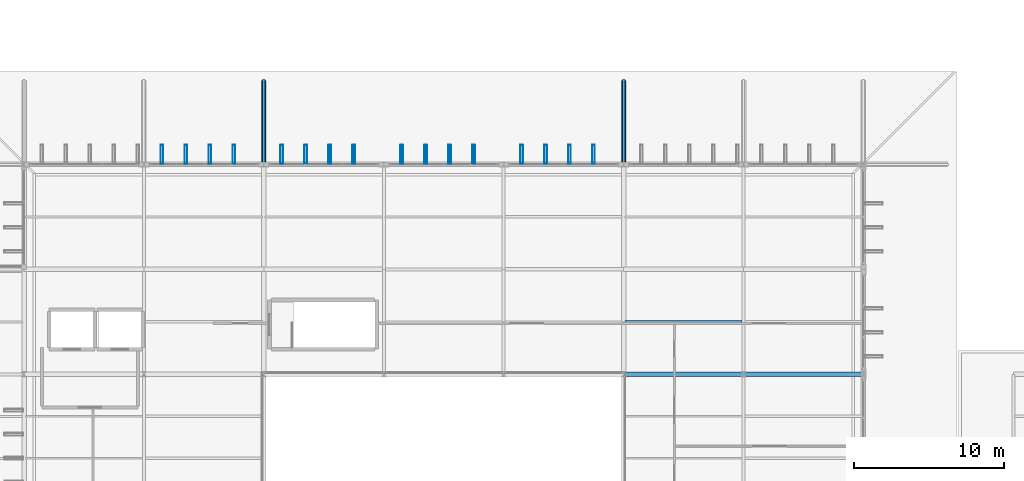
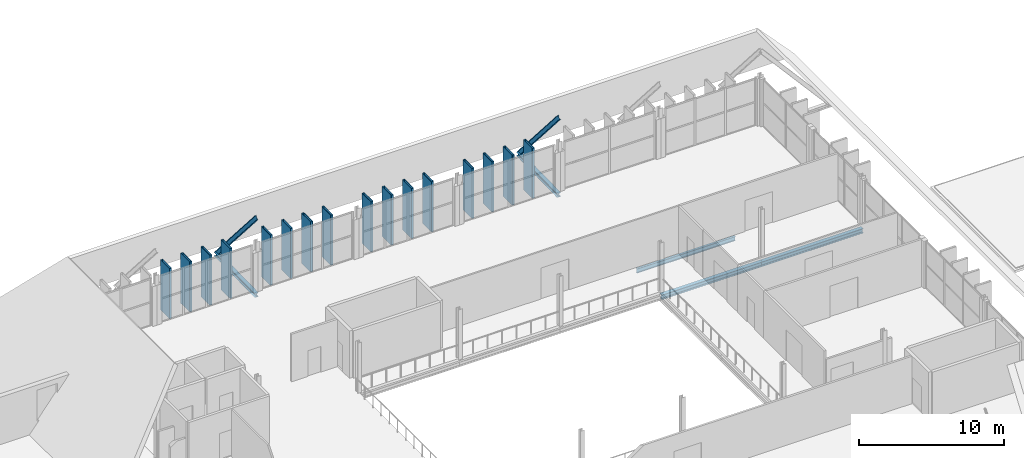
# One storey, part 52 of 93: 18 members, 5 beams.
"""IFC4 building model written with IfcOpenShell, lengths in metres."""

import ifcopenshell
import ifcopenshell.guid

model = None  # the IFC model being written
_history = None  # IfcOwnerHistory: only IFC2X3 demands one
_inside = {}  # id of a spatial element -> (the spatial element, [elements in it])
_under = {}  # id of a project, library or spatial element -> (it, [spatial elements below it])
_declared = {}  # id of a project -> (the project, [libraries it declares])
_typed = {}  # id of a type object -> (the type object, [elements of that type])
_made_of = {}  # id of a material, layer set ... -> (it, [elements and type objects made of it])


def new_model(schema):
    """Start an empty IFC model of exactly this schema.

    Asked for "IFC4X3", IfcOpenShell would pick the latest addendum, in which some entities
    have other attributes; the version numbers below select the first issue.
    IFC2X3 requires an IfcOwnerHistory on every rooted entity: one is made here for all.
    """
    global model, _history
    if schema == "IFC4X3":
        model = ifcopenshell.file(schema_version=(4, 3, 0, 0))
    else:
        model = ifcopenshell.file(schema=schema)
    _inside.clear()
    _under.clear()
    _declared.clear()
    _typed.clear()
    _made_of.clear()
    _history = None
    if model.schema == "IFC2X3":
        org = make("IfcOrganization", Name="unknown")
        user = make(
            "IfcPersonAndOrganization",
            ThePerson=make("IfcPerson", FamilyName="unknown"),
            TheOrganization=org,
        )
        app = make(
            "IfcApplication",
            ApplicationDeveloper=org,
            Version="unknown",
            ApplicationFullName="unknown",
            ApplicationIdentifier="unknown",
        )
        _history = make(
            "IfcOwnerHistory",
            OwningUser=user,
            OwningApplication=app,
            ChangeAction="ADDED",
            CreationDate=0,
        )
    return model


def make(cls, **values):
    """One entity of the class cls with the attributes given. An attribute that is None is left unset."""
    return model.create_entity(
        cls, **{name: value for name, value in values.items() if value is not None}
    )


def rooted(cls, **values):
    """An entity with a GlobalId (a new one), such as an element, a storey or a relation."""
    return make(cls, GlobalId=ifcopenshell.guid.new(), OwnerHistory=_history, **values)


def si_unit(unit_type, name, prefix=None):
    """IfcSIUnit, for example si_unit("LENGTHUNIT", "METRE", prefix="MILLI")."""
    return make("IfcSIUnit", UnitType=unit_type, Prefix=prefix, Name=name)


def assignment(units):
    """IfcUnitAssignment: the units of a project."""
    return None if units is None else make("IfcUnitAssignment", Units=units)


def point(xyz):
    """IfcCartesianPoint."""
    return None if xyz is None else make("IfcCartesianPoint", Coordinates=xyz)


def direction(xyz):
    """IfcDirection."""
    return None if xyz is None else make("IfcDirection", DirectionRatios=xyz)


def frame(location, z_axis=None, x_axis=None):
    """IfcAxis2Placement3D, a coordinate frame: its origin and axes. An axis left out is left unset."""
    return make(
        "IfcAxis2Placement3D",
        Location=point(location),
        Axis=direction(z_axis),
        RefDirection=direction(x_axis),
    )


def frame_2d(location, x_axis=None):
    """IfcAxis2Placement2D, a coordinate frame in the plane: its origin and x axis."""
    return make(
        "IfcAxis2Placement2D", Location=point(location), RefDirection=direction(x_axis)
    )


def origin():
    """The frame at (0, 0, 0) with its axes left unset."""
    return frame((0.0, 0.0, 0.0))


def origin_2d():
    """The frame at (0, 0) in the plane with its x axis left unset."""
    return frame_2d((0.0, 0.0))


def place(relative_to, where):
    """IfcLocalPlacement: puts the frame where relative to a parent placement (None: the world)."""
    return make(
        "IfcLocalPlacement", PlacementRelTo=relative_to, RelativePlacement=where
    )


def context(
    kind, dimensions, precision=None, world=None, true_north=None, identifier=None
):
    """IfcGeometricRepresentationContext, for example the 3D "Model" context."""
    return make(
        "IfcGeometricRepresentationContext",
        ContextIdentifier=identifier,
        ContextType=kind,
        CoordinateSpaceDimension=dimensions,
        Precision=precision,
        WorldCoordinateSystem=world,
        TrueNorth=true_north,
    )


def subcontext(parent, identifier, kind, view, scale=None):
    """IfcGeometricRepresentationSubContext, for example "Body" below "Model"."""
    return make(
        "IfcGeometricRepresentationSubContext",
        ContextIdentifier=identifier,
        ContextType=kind,
        ParentContext=parent,
        TargetScale=scale,
        TargetView=view,
    )


def project(units=None, contexts=None):
    """IfcProject with its units and contexts."""
    return rooted(
        "IfcProject",
        Name="project",
        RepresentationContexts=contexts,
        UnitsInContext=assignment(units),
    )


def spatial(cls, under=None, at=None, **own):
    """A site, building, storey or space (cls), placed at a placement, below another one or the project."""
    s = rooted(cls, ObjectPlacement=at, **own)
    if under is not None:
        _under.setdefault(under.id(), (under, []))[1].append(s)
    return s


def profile(cls, at=None, kind="AREA", **sizes):
    """A parametric profile (cls). Its sizes go by their IFC names, for example OverallWidth=200.0."""
    return make(cls, ProfileType=kind, Position=at, **sizes)


def hollow_rectangle(**sizes):
    """IfcRectangleHollowProfileDef."""
    return profile("IfcRectangleHollowProfileDef", **sizes)


def i_section(**sizes):
    """IfcIShapeProfileDef."""
    return profile("IfcIShapeProfileDef", **sizes)


def extrude(swept, where, along, depth):
    """IfcExtrudedAreaSolid: the profile swept, set in the frame where, extruded along a direction by depth."""
    return make(
        "IfcExtrudedAreaSolid",
        SweptArea=swept,
        Position=where,
        ExtrudedDirection=direction(along),
        Depth=depth,
    )


def shape(context_of_items, identifier, shape_type, items):
    """IfcShapeRepresentation: the items that make up one representation, for example the "Body"."""
    return make(
        "IfcShapeRepresentation",
        ContextOfItems=context_of_items,
        RepresentationIdentifier=identifier,
        RepresentationType=shape_type,
        Items=items,
    )


def material(Name=None, Category=None):
    """IfcMaterial."""
    return make("IfcMaterial", Name=Name, Category=Category)


def material_profile(
    of_material, cross_section, Name=None, Category=None, Priority=None
):
    """IfcMaterialProfile: a cross section and its material."""
    return make(
        "IfcMaterialProfile",
        Name=Name,
        Material=of_material,
        Profile=cross_section,
        Priority=Priority,
        Category=Category,
    )


def profile_set(profiles, Name=None, composite=None):
    """IfcMaterialProfileSet."""
    return make(
        "IfcMaterialProfileSet",
        Name=Name,
        MaterialProfiles=profiles,
        CompositeProfile=composite,
    )


def made_of(thing, what):
    """Note that an element or type object is made of a material, layer set ...; save() writes the relation."""
    if what is not None:
        _made_of.setdefault(what.id(), (what, []))[1].append(thing)
    return thing


def type_object(cls, material=None, **own):
    """A type object (cls), such as IfcWallType, which elements share."""
    return made_of(rooted(cls, **own), material)


def element(
    cls,
    number,
    at=None,
    inside=None,
    cuts=None,
    type_object=None,
    material=None,
    context=None,
    identifier="Body",
    shape_type=None,
    held_by="IfcProductDefinitionShape",
    body=None,
    shapes=None,
    **own,
):
    """One element of the class cls, such as IfcWall. Its Tag is "e" and its number.

    at: its placement. inside: the storey or other place that contains it. cuts: it is an
    opening in that element (IfcRelVoidsElement). A single representation is given by context,
    identifier, shape_type and body (its items); several are given by shapes. held_by: the class
    of the entity that holds the representations. save() writes the other relations.
    """
    e = rooted(cls, Tag="e%d" % number, ObjectPlacement=at, **own)
    if body is not None:
        shapes = [shape(context, identifier, shape_type, body)]
    if shapes is not None:
        e.Representation = make(held_by, Representations=shapes)
    if inside is not None:
        _inside.setdefault(inside.id(), (inside, []))[1].append(e)
    if cuts is not None:
        rooted(
            "IfcRelVoidsElement", RelatingBuildingElement=cuts, RelatedOpeningElement=e
        )
    if type_object is not None:
        _typed.setdefault(type_object.id(), (type_object, []))[1].append(e)
    return made_of(e, material)


def aggregate(whole, parts):
    """IfcRelAggregates: a whole, such as a stair, and the parts it consists of."""
    return rooted("IfcRelAggregates", RelatingObject=whole, RelatedObjects=parts)


def save(model, path):
    """Write the relations noted so far, then the file.

    IfcRelAggregates (storeys below a building ...), IfcRelContainedInSpatialStructure (elements
    in a storey), IfcRelDefinesByType, IfcRelAssociatesMaterial and IfcRelDeclares: one each for
    every whole, place, type object, material and project.
    """
    for whole, parts in _under.values():
        aggregate(whole, parts)
    for where, things in _inside.values():
        rooted(
            "IfcRelContainedInSpatialStructure",
            RelatedElements=things,
            RelatingStructure=where,
        )
    for kind, things in _typed.values():
        rooted("IfcRelDefinesByType", RelatedObjects=things, RelatingType=kind)
    for what, things in _made_of.values():
        rooted("IfcRelAssociatesMaterial", RelatedObjects=things, RelatingMaterial=what)
    for by, libraries in _declared.values():
        rooted("IfcRelDeclares", RelatingContext=by, RelatedDefinitions=libraries)
    model.write(path)


model = new_model("IFC4")

# Units and contexts
model_context = context("Model", 3, precision=1e-05, world=origin(), true_north=direction((0.0, 1.0)))
body_context = subcontext(model_context, "Body", "Model", "MODEL_VIEW")
ifc_project = project(units=[si_unit("LENGTHUNIT", "METRE"), si_unit("AREAUNIT", "SQUARE_METRE"), si_unit("VOLUMEUNIT", "CUBIC_METRE"), si_unit("PLANEANGLEUNIT", "RADIAN"), si_unit("MASSUNIT", "GRAM", prefix="KILO")], contexts=[model_context])

# Site, building, storey
site_placement = place(None, origin())
site = spatial("IfcSite", under=ifc_project, at=site_placement, CompositionType="ELEMENT")
building_placement = place(site_placement, origin())
building = spatial("IfcBuilding", under=site, at=building_placement, Name="Vekula Escarpment Museum", CompositionType="ELEMENT")
storey_placement = place(building_placement, frame((0.0, 0.0, 22.199951171875)))
storey = spatial("IfcBuildingStorey", under=building, at=storey_placement, Name="L05", CompositionType="ELEMENT", Elevation=22.199951171875)

# Beams
ifc_material_1 = material(Name="Steel S355", Category="steel")
ifc_material_profile_1 = material_profile(ifc_material_1, i_section(OverallWidth=0.300048828125, OverallDepth=0.320068359375, WebThickness=0.011474609375, FlangeThickness=0.0205078125, FilletRadius=0.027099609375, at=origin_2d()), Name="HEB 320")
ifc_profile_set_1 = profile_set([ifc_material_profile_1], Name="Steel S355")
beam_type_1 = type_object("IfcBeamType", Name="BM-EAVE-OUT", PredefinedType="BEAM", material=ifc_profile_set_1)
for number, where, z_axis, x_axis, name in (
    (1, (86.0, 90.39990234375, -0.39990234375), (0.0, 0.999770980386, 0.021400625659), (-1.0, 0.0, 0.0), "Great Hall North Eave Outrigger 86"),
    (2, (110.0, 90.39990234375, -0.39990234375), (0.0, 0.999770980386, 0.021400625659), (-1.0, 0.0, 0.0), "Great Hall North Eave Outrigger 110"),
):
    element("IfcBeam", number, at=place(storey_placement, frame(where, z_axis=z_axis, x_axis=x_axis)), inside=storey, type_object=beam_type_1, Name=name, PredefinedType="BEAM", context=body_context, shape_type="SweptSolid", body=[
        extrude(i_section(OverallWidth=0.300048828125, OverallDepth=0.320068359375, WebThickness=0.011474609375, FlangeThickness=0.0205078125, FilletRadius=0.027099609375, at=origin_2d()), origin(), (0.0, 0.0, 1.0), 5.601318359375),
    ])
ifc_material_2 = material(Name="Steel S355", Category="steel")
ifc_material_profile_2 = material_profile(ifc_material_2, i_section(OverallWidth=0.169921875, OverallDepth=0.360107421875, WebThickness=0.008056640625, FlangeThickness=0.0126953125, FilletRadius=0.01806640625, at=origin_2d()), Name="IPE 360")
ifc_profile_set_2 = profile_set([ifc_material_profile_2], Name="Steel S355")
beam_type_2 = type_object("IfcBeamType", Name="BM-JST-IPE360", PredefinedType="JOIST", material=ifc_profile_set_2)
beam_placement = place(storey_placement, frame((110.090087890625, 79.89990234375, -0.39990234375), z_axis=(1.0, 0.0, 0.0), x_axis=(0.0, 1.0, 0.0)))
element("IfcBeam", 3, at=beam_placement, inside=storey, type_object=beam_type_2, Name="Secondary Joist L05 1372", PredefinedType="JOIST", context=body_context, shape_type="SweptSolid", body=[
    extrude(i_section(OverallWidth=0.169921875, OverallDepth=0.360107421875, WebThickness=0.008056640625, FlangeThickness=0.0126953125, FilletRadius=0.01806640625, at=origin_2d()), origin(), (0.0, 0.0, 1.0), 7.81982421875),
])
ifc_material_3 = material(Name="Steel S355", Category="steel")
ifc_material_profile_3 = material_profile(ifc_material_3, i_section(OverallWidth=0.300048828125, OverallDepth=0.389892578125, WebThickness=0.010986328125, FlangeThickness=0.01904296875, FilletRadius=0.027099609375, at=origin_2d()), Name="HEA 400")
ifc_profile_set_3 = profile_set([ifc_material_profile_3], Name="Steel S355")
beam_type_3 = type_object("IfcBeamType", Name="BM-SPAN-HEA400", PredefinedType="SPANDREL", material=ifc_profile_set_3)
for number, where, z_axis, x_axis, name in (
    (4, (110.0, 76.39990234375, -0.4150390625), (1.0, 0.0, 0.0), (0.0, 1.0, 0.0), "Beam X L05 2021"),
    (5, (118.0, 76.39990234375, -0.4150390625), (1.0, 0.0, 0.0), (0.0, 1.0, 0.0), "Beam X L05 2022"),
):
    element("IfcBeam", number, at=place(storey_placement, frame(where, z_axis=z_axis, x_axis=x_axis)), inside=storey, type_object=beam_type_3, Name=name, PredefinedType="SPANDREL", context=body_context, shape_type="SweptSolid", body=[
        extrude(i_section(OverallWidth=0.300048828125, OverallDepth=0.389892578125, WebThickness=0.010986328125, FlangeThickness=0.01904296875, FilletRadius=0.027099609375, at=origin_2d()), origin(), (0.0, 0.0, 1.0), 8.0),
    ])

# Members
ifc_material_4 = material(Name="Steel S355", Category="steel")
ifc_material_profile_4 = material_profile(ifc_material_4, i_section(OverallWidth=0.159912109375, OverallDepth=0.330078125, WebThickness=0.007568359375, FlangeThickness=0.011474609375, FilletRadius=0.01806640625, at=origin_2d()), Name="IPE 330")
ifc_profile_set_4 = profile_set([ifc_material_profile_4], Name="Steel S355")
member_type_1 = type_object("IfcMemberType", Name="MB-SKIRT-RAFTER", PredefinedType="CHORD", material=ifc_profile_set_4)
for number, where, z_axis, x_axis, name in (
    (6, (86.0, 95.949951171875, -0.280029296875), (0.0, -0.654565426105, 0.756005359073), (1.0, 0.0, 0.0), "Truncated-Hip Rafter North 86"),
    (7, (110.0, 95.949951171875, -0.280029296875), (0.0, -0.654565426105, 0.756005359073), (1.0, 0.0, 0.0), "Truncated-Hip Rafter North 110"),
):
    element("IfcMember", number, at=place(storey_placement, frame(where, z_axis=z_axis, x_axis=x_axis)), inside=storey, type_object=member_type_1, Name=name, PredefinedType="CHORD", context=body_context, shape_type="SweptSolid", body=[
        extrude(i_section(OverallWidth=0.159912109375, OverallDepth=0.330078125, WebThickness=0.007568359375, FlangeThickness=0.011474609375, FilletRadius=0.01806640625, at=origin_2d()), origin(), (0.0, 0.0, 1.0), 8.47900390625),
    ])
ifc_material_5 = material(Name="Steel S355 weathered bronze solar fin", Category="steel")
ifc_material_profile_5 = material_profile(ifc_material_5, hollow_rectangle(XDim=0.179931640625, YDim=1.25, WallThickness=0.010009765625, InnerFilletRadius=0.010009765625, OuterFilletRadius=0.02001953125, at=origin_2d()), Name="RHS 1250x180x10")
ifc_profile_set_5 = profile_set([ifc_material_profile_5], Name="Steel S355 weathered bronze solar fin")
member_type_2 = type_object("IfcMemberType", Name="MB-SOLAR-FIN", PredefinedType="USERDEFINED", material=ifc_profile_set_5)
for number, where, z_axis, x_axis, name in (
    (8, (79.199951171875, 91.080078125, 0.0), (0.0, 0.0, 1.0), (1.0, 0.0, 0.0), "Great Hall Vertical Solar Fin 0160"),
    (9, (80.800048828125, 91.080078125, 0.0), (0.0, 0.0, 1.0), (1.0, 0.0, 0.0), "Great Hall Vertical Solar Fin 0165"),
    (10, (82.39990234375, 91.080078125, 0.0), (0.0, 0.0, 1.0), (1.0, 0.0, 0.0), "Great Hall Vertical Solar Fin 0170"),
    (11, (84.0, 91.080078125, 0.0), (0.0, 0.0, 1.0), (1.0, 0.0, 0.0), "Great Hall Vertical Solar Fin 0175"),
    (12, (87.199951171875, 91.080078125, 0.0), (0.0, 0.0, 1.0), (1.0, 0.0, 0.0), "Great Hall Vertical Solar Fin 0180"),
    (13, (88.800048828125, 91.080078125, 0.0), (0.0, 0.0, 1.0), (1.0, 0.0, 0.0), "Great Hall Vertical Solar Fin 0185"),
    (14, (90.39990234375, 91.080078125, 0.0), (0.0, 0.0, 1.0), (1.0, 0.0, 0.0), "Great Hall Vertical Solar Fin 0190"),
    (15, (92.0, 91.080078125, 0.0), (0.0, 0.0, 1.0), (1.0, 0.0, 0.0), "Great Hall Vertical Solar Fin 0195"),
    (16, (95.199951171875, 91.080078125, 0.0), (0.0, 0.0, 1.0), (1.0, 0.0, 0.0), "Great Hall Vertical Solar Fin 0200"),
    (17, (96.800048828125, 91.080078125, 0.0), (0.0, 0.0, 1.0), (1.0, 0.0, 0.0), "Great Hall Vertical Solar Fin 0205"),
    (18, (98.39990234375, 91.080078125, 0.0), (0.0, 0.0, 1.0), (1.0, 0.0, 0.0), "Great Hall Vertical Solar Fin 0210"),
    (19, (100.0, 91.080078125, 0.0), (0.0, 0.0, 1.0), (1.0, 0.0, 0.0), "Great Hall Vertical Solar Fin 0215"),
    (20, (103.199951171875, 91.080078125, 0.0), (0.0, 0.0, 1.0), (1.0, 0.0, 0.0), "Great Hall Vertical Solar Fin 0220"),
    (21, (104.800048828125, 91.080078125, 0.0), (0.0, 0.0, 1.0), (1.0, 0.0, 0.0), "Great Hall Vertical Solar Fin 0225"),
    (22, (106.39990234375, 91.080078125, 0.0), (0.0, 0.0, 1.0), (1.0, 0.0, 0.0), "Great Hall Vertical Solar Fin 0230"),
    (23, (108.0, 91.080078125, 0.0), (0.0, 0.0, 1.0), (1.0, 0.0, 0.0), "Great Hall Vertical Solar Fin 0235"),
):
    element("IfcMember", number, at=place(storey_placement, frame(where, z_axis=z_axis, x_axis=x_axis)), inside=storey, type_object=member_type_2, Name=name, ObjectType="SOLAR FIN", PredefinedType="USERDEFINED", context=body_context, shape_type="SweptSolid", body=[
        extrude(hollow_rectangle(XDim=0.179931640625, YDim=1.25, WallThickness=0.010009765625, InnerFilletRadius=0.010009765625, OuterFilletRadius=0.02001953125, at=origin_2d()), origin(), (0.0, 0.0, 1.0), 4.199951171875),
    ])

save(model, "model.ifc")
